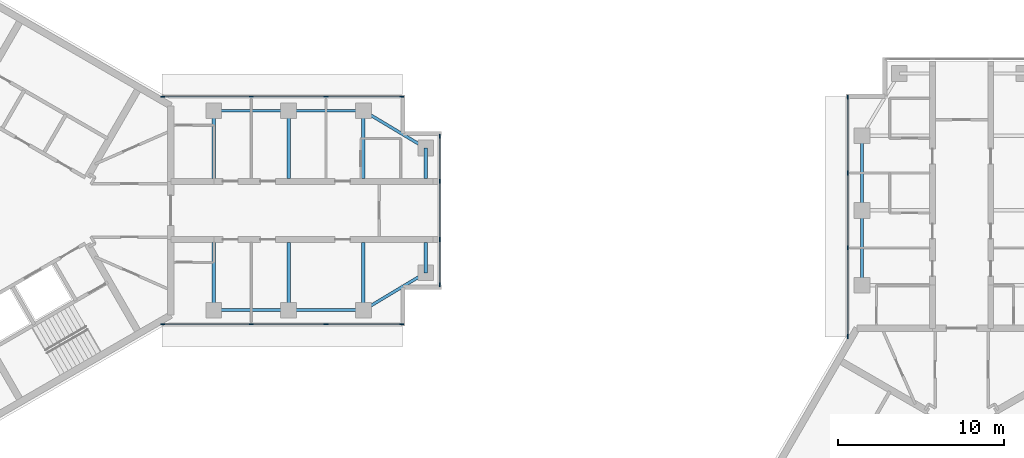
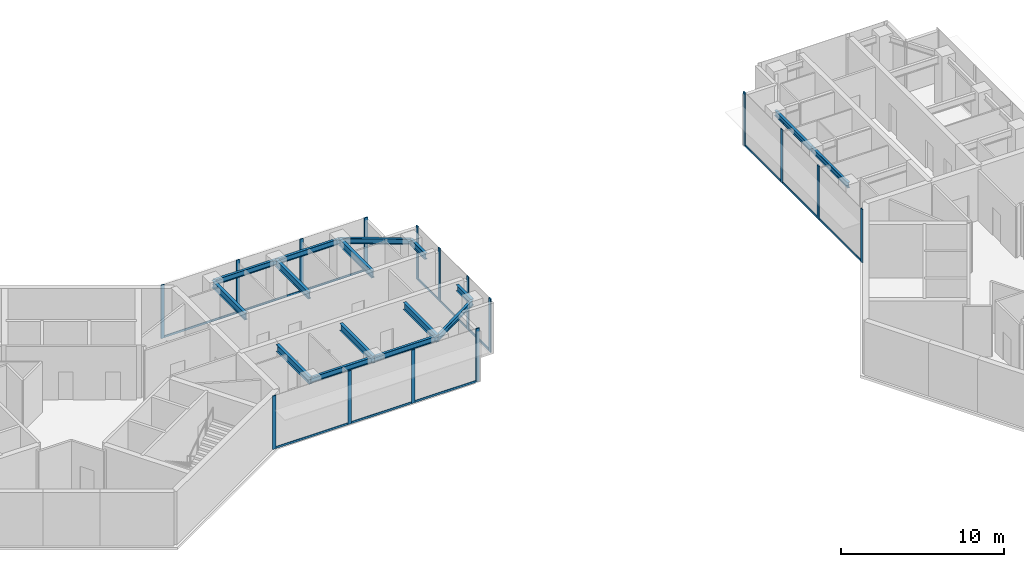
# One storey, part 2 of 11: 28 members, 16 beams, 4 elements without a shape of their own.
"""IFC4 building model written with IfcOpenShell, lengths in metres."""

from ifc_helpers import new_model, si_unit, direction, frame, origin, origin_2d, place, context, subcontext, project, spatial, rectangle, i_section, extrude, material, material_profile, profile_set, type_object, element, aggregate, save


model = new_model("IFC4")

# Units and contexts
model_context = context("Model", 3, precision=1e-05, world=origin(), true_north=direction((0.0, 1.0)))
body_context = subcontext(model_context, "Body", "Model", "MODEL_VIEW")
ifc_project = project(units=[si_unit("LENGTHUNIT", "METRE"), si_unit("AREAUNIT", "SQUARE_METRE"), si_unit("VOLUMEUNIT", "CUBIC_METRE"), si_unit("PLANEANGLEUNIT", "RADIAN"), si_unit("MASSUNIT", "GRAM", prefix="KILO")], contexts=[model_context])

# Site, building, storey
site_placement = place(None, origin())
site = spatial("IfcSite", under=ifc_project, at=site_placement, CompositionType="ELEMENT")
building_placement = place(site_placement, origin())
building = spatial("IfcBuilding", under=site, at=building_placement, Name="Upepo Twin Towers", CompositionType="ELEMENT")
storey_placement = place(building_placement, frame((0.0, 0.0, 271.5)))
storey = spatial("IfcBuildingStorey", under=building, at=storey_placement, Name="L66", CompositionType="ELEMENT", Elevation=271.5)

# Beams
ifc_material_1 = material(Name="Steel S355", Category="steel")
ifc_material_profile_1 = material_profile(ifc_material_1, i_section(OverallWidth=0.177978515625, OverallDepth=0.406494140625, WebThickness=0.0078125, FlangeThickness=0.0126953125, FilletRadius=0.01025390625, at=origin_2d()), Name="UB 406x178x60")
ifc_profile_set_1 = profile_set([ifc_material_profile_1], Name="Steel S355")
beam_type_1 = type_object("IfcBeamType", Name="Beam UB 406x178x60", PredefinedType="BEAM", material=ifc_profile_set_1)
for number, where, z_axis, x_axis, name in (
    (1, (13.5, 6.0, 3.5966796875), (1.0, 0.0, 0.0), (0.0, 1.0, 0.0), "T1 edge beam AL 13.5-18.0"),
    (2, (18.0, 6.0, 3.5966796875), (1.0, 0.0, 0.0), (0.0, 1.0, 0.0), "T1 edge beam AL 18.0-22.5"),
):
    element("IfcBeam", number, at=place(storey_placement, frame(where, z_axis=z_axis, x_axis=x_axis)), inside=storey, type_object=beam_type_1, Name=name, PredefinedType="BEAM", context=body_context, shape_type="SweptSolid", body=[
        extrude(i_section(OverallWidth=0.177978515625, OverallDepth=0.406494140625, WebThickness=0.0078125, FlangeThickness=0.0126953125, FilletRadius=0.01025390625, at=origin_2d()), origin(), (0.0, 0.0, 1.0), 4.5),
    ])
beam_1_placement = place(storey_placement, frame((22.5, 6.0, 3.5966796875), z_axis=(0.857492925713, -0.514495755428, 0.0), x_axis=(0.514495755428, 0.857492925713, 0.0)))
element("IfcBeam", 3, at=beam_1_placement, inside=storey, type_object=beam_type_1, Name="T1 nose edge beam AL", PredefinedType="BEAM", context=body_context, shape_type="SweptSolid", body=[
    extrude(i_section(OverallWidth=0.177978515625, OverallDepth=0.406494140625, WebThickness=0.0078125, FlangeThickness=0.0126953125, FilletRadius=0.01025390625, at=origin_2d()), origin(), (0.0, 0.0, 1.0), 4.373291015625),
])
for number, where, z_axis, x_axis, name in (
    (4, (13.5, -6.0, 3.5966796875), (1.0, 0.0, 0.0), (0.0, 1.0, 0.0), "T1 edge beam AR 13.5-18.0"),
    (5, (18.0, -6.0, 3.5966796875), (1.0, 0.0, 0.0), (0.0, 1.0, 0.0), "T1 edge beam AR 18.0-22.5"),
):
    element("IfcBeam", number, at=place(storey_placement, frame(where, z_axis=z_axis, x_axis=x_axis)), inside=storey, type_object=beam_type_1, Name=name, PredefinedType="BEAM", context=body_context, shape_type="SweptSolid", body=[
        extrude(i_section(OverallWidth=0.177978515625, OverallDepth=0.406494140625, WebThickness=0.0078125, FlangeThickness=0.0126953125, FilletRadius=0.01025390625, at=origin_2d()), origin(), (0.0, 0.0, 1.0), 4.5),
    ])
beam_2_placement = place(storey_placement, frame((22.5, -6.0, 3.5966796875), z_axis=(0.857492925713, 0.514495755428, 0.0), x_axis=(-0.514495755428, 0.857492925713, 0.0)))
element("IfcBeam", 6, at=beam_2_placement, inside=storey, type_object=beam_type_1, Name="T1 nose edge beam AR", PredefinedType="BEAM", context=body_context, shape_type="SweptSolid", body=[
    extrude(i_section(OverallWidth=0.177978515625, OverallDepth=0.406494140625, WebThickness=0.0078125, FlangeThickness=0.0126953125, FilletRadius=0.01025390625, at=origin_2d()), origin(), (0.0, 0.0, 1.0), 4.373291015625),
])
for number, where, z_axis, x_axis, name in (
    (7, (52.5, -4.5, 3.5966796875), (0.0, 1.0, 0.0), (-1.0, 0.0, 0.0), "T2 edge beam AL 13.5-18.0"),
    (8, (52.5, 0.0, 3.5966796875), (0.0, 1.0, 0.0), (-1.0, 0.0, 0.0), "T2 edge beam AL 18.0-22.5"),
):
    element("IfcBeam", number, at=place(storey_placement, frame(where, z_axis=z_axis, x_axis=x_axis)), inside=storey, type_object=beam_type_1, Name=name, PredefinedType="BEAM", context=body_context, shape_type="SweptSolid", body=[
        extrude(i_section(OverallWidth=0.177978515625, OverallDepth=0.406494140625, WebThickness=0.0078125, FlangeThickness=0.0126953125, FilletRadius=0.01025390625, at=origin_2d()), origin(), (0.0, 0.0, 1.0), 4.5),
    ])
ifc_material_2 = material(Name="Steel S355", Category="steel")
ifc_material_profile_2 = material_profile(ifc_material_2, i_section(OverallWidth=0.19140625, OverallDepth=0.4599609375, WebThickness=0.010009765625, FlangeThickness=0.01611328125, FilletRadius=0.01025390625, at=origin_2d()), Name="UB 457x191x82")
ifc_profile_set_2 = profile_set([ifc_material_profile_2], Name="Steel S355")
beam_type_2 = type_object("IfcBeamType", Name="Beam UB 457x191x82", PredefinedType="BEAM", material=ifc_profile_set_2)
for number, where, z_axis, x_axis, name in (
    (9, (26.25, 3.75, 3.570068359375), (0.0, -1.0, 0.0), (1.0, 0.0, 0.0), "T1 nose beam AL"),
    (10, (26.25, -3.75, 3.570068359375), (0.0, 1.0, 0.0), (-1.0, 0.0, 0.0), "T1 nose beam AR"),
):
    element("IfcBeam", number, at=place(storey_placement, frame(where, z_axis=z_axis, x_axis=x_axis)), inside=storey, type_object=beam_type_2, Name=name, PredefinedType="BEAM", context=body_context, shape_type="SweptSolid", body=[
        extrude(i_section(OverallWidth=0.19140625, OverallDepth=0.4599609375, WebThickness=0.010009765625, FlangeThickness=0.01611328125, FilletRadius=0.01025390625, at=origin_2d()), origin(), (0.0, 0.0, 1.0), 1.824951171875),
    ])
ifc_material_3 = material(Name="Steel S355", Category="steel")
ifc_material_profile_3 = material_profile(ifc_material_3, i_section(OverallWidth=0.209228515625, OverallDepth=0.533203125, WebThickness=0.010009765625, FlangeThickness=0.015625, FilletRadius=0.0126953125, at=origin_2d()), Name="UB 533x210x92")
ifc_profile_set_3 = profile_set([ifc_material_profile_3], Name="Steel S355")
beam_type_3 = type_object("IfcBeamType", Name="Beam UB 533x210x92", PredefinedType="BEAM", material=ifc_profile_set_3)
for number, where, z_axis, x_axis, name in (
    (11, (13.5, 6.0, 3.533447265625), (0.0, -1.0, 0.0), (1.0, 0.0, 0.0), "T1 girder AL at 13.5"),
    (12, (18.0, 6.0, 3.533447265625), (0.0, -1.0, 0.0), (1.0, 0.0, 0.0), "T1 girder AL at 18.0"),
    (13, (22.5, 6.0, 3.533447265625), (0.0, -1.0, 0.0), (1.0, 0.0, 0.0), "T1 girder AL at 22.5"),
    (14, (13.5, -6.0, 3.533447265625), (0.0, 1.0, 0.0), (-1.0, 0.0, 0.0), "T1 girder AR at 13.5"),
    (15, (18.0, -6.0, 3.533447265625), (0.0, 1.0, 0.0), (-1.0, 0.0, 0.0), "T1 girder AR at 18.0"),
    (16, (22.5, -6.0, 3.533447265625), (0.0, 1.0, 0.0), (-1.0, 0.0, 0.0), "T1 girder AR at 22.5"),
):
    element("IfcBeam", number, at=place(storey_placement, frame(where, z_axis=z_axis, x_axis=x_axis)), inside=storey, type_object=beam_type_3, Name=name, PredefinedType="BEAM", context=body_context, shape_type="SweptSolid", body=[
        extrude(i_section(OverallWidth=0.209228515625, OverallDepth=0.533203125, WebThickness=0.010009765625, FlangeThickness=0.015625, FilletRadius=0.0126953125, at=origin_2d()), origin(), (0.0, 0.0, 1.0), 4.074951171875),
    ])

# Curtain wall, members
ifc_material_4 = material(Name="Aluminium and fritted glass", Category="aluminium")
curtain_wall_type = type_object("IfcCurtainWallType", Name="Tower curtain wall TW4, fritted glass", PredefinedType="NOTDEFINED", material=ifc_material_4)
curtain_wall_1_placement = place(storey_placement, origin())
curtain_wall_1 = element("IfcCurtainWall", 17, at=curtain_wall_1_placement, inside=storey, type_object=curtain_wall_type, Name="T1 L66 wing A flank L curtain wall", PredefinedType="NOTDEFINED")
ifc_material_5 = material(Name="Aluminium mullion", Category="aluminium")
ifc_material_profile_4 = material_profile(ifc_material_5, rectangle(XDim=0.06494140625, YDim=0.25, at=origin_2d()), Name="MULLION 65x250")
ifc_profile_set_4 = profile_set([ifc_material_profile_4], Name="Aluminium mullion")
member_type_1 = type_object("IfcMemberType", Name="Mullion 65x250 TW4", PredefinedType="MULLION", material=ifc_profile_set_4)
member_1_placement = place(storey_placement, frame((10.419677734375, 6.85009765625, 0.0), z_axis=(0.0, 0.0, 1.0), x_axis=(0.0, 1.0, 0.0)))
member_1 = element("IfcMember", 18, at=member_1_placement, type_object=member_type_1, Name="T1 L66 wing A flank L curtain wall mullion 1", PredefinedType="MULLION", context=body_context, shape_type="SweptSolid", body=[
    extrude(rectangle(XDim=0.06494140625, YDim=0.25, at=origin_2d()), origin(), (0.0, 0.0, 1.0), 4.0),
])
member_2_placement = place(storey_placement, frame((15.75, 6.85009765625, 0.0), z_axis=(0.0, 0.0, 1.0), x_axis=(0.0, 1.0, 0.0)))
member_2 = element("IfcMember", 19, at=member_2_placement, type_object=member_type_1, Name="T1 L66 wing A flank L curtain wall mullion 2", PredefinedType="MULLION", context=body_context, shape_type="SweptSolid", body=[
    extrude(rectangle(XDim=0.06494140625, YDim=0.25, at=origin_2d()), origin(), (0.0, 0.0, 1.0), 4.0),
])
member_3_placement = place(storey_placement, frame((20.25, 6.85009765625, 0.0), z_axis=(0.0, 0.0, 1.0), x_axis=(0.0, 1.0, 0.0)))
member_3 = element("IfcMember", 20, at=member_3_placement, type_object=member_type_1, Name="T1 L66 wing A flank L curtain wall mullion 3", PredefinedType="MULLION", context=body_context, shape_type="SweptSolid", body=[
    extrude(rectangle(XDim=0.06494140625, YDim=0.25, at=origin_2d()), origin(), (0.0, 0.0, 1.0), 4.0),
])
member_4_placement = place(storey_placement, frame((24.8173828125, 6.85009765625, 0.0), z_axis=(0.0, 0.0, 1.0), x_axis=(0.0, 1.0, 0.0)))
member_4 = element("IfcMember", 21, at=member_4_placement, type_object=member_type_1, Name="T1 L66 wing A flank L curtain wall mullion 4", PredefinedType="MULLION", context=body_context, shape_type="SweptSolid", body=[
    extrude(rectangle(XDim=0.06494140625, YDim=0.25, at=origin_2d()), origin(), (0.0, 0.0, 1.0), 4.0),
])

curtain_wall_2_placement = place(storey_placement, origin())
curtain_wall_2 = element("IfcCurtainWall", 22, at=curtain_wall_2_placement, inside=storey, type_object=curtain_wall_type, Name="T1 L66 wing A flank R curtain wall", PredefinedType="NOTDEFINED")
member_5_placement = place(storey_placement, frame((24.8173828125, -6.85009765625, 0.0), z_axis=(0.0, 0.0, 1.0), x_axis=(0.0, -1.0, 0.0)))
member_5 = element("IfcMember", 23, at=member_5_placement, type_object=member_type_1, Name="T1 L66 wing A flank R curtain wall mullion 1", PredefinedType="MULLION", context=body_context, shape_type="SweptSolid", body=[
    extrude(rectangle(XDim=0.06494140625, YDim=0.25, at=origin_2d()), origin(), (0.0, 0.0, 1.0), 4.0),
])
member_6_placement = place(storey_placement, frame((20.25, -6.85009765625, 0.0), z_axis=(0.0, 0.0, 1.0), x_axis=(0.0, -1.0, 0.0)))
member_6 = element("IfcMember", 24, at=member_6_placement, type_object=member_type_1, Name="T1 L66 wing A flank R curtain wall mullion 2", PredefinedType="MULLION", context=body_context, shape_type="SweptSolid", body=[
    extrude(rectangle(XDim=0.06494140625, YDim=0.25, at=origin_2d()), origin(), (0.0, 0.0, 1.0), 4.0),
])
member_7_placement = place(storey_placement, frame((15.75, -6.85009765625, 0.0), z_axis=(0.0, 0.0, 1.0), x_axis=(0.0, -1.0, 0.0)))
member_7 = element("IfcMember", 25, at=member_7_placement, type_object=member_type_1, Name="T1 L66 wing A flank R curtain wall mullion 3", PredefinedType="MULLION", context=body_context, shape_type="SweptSolid", body=[
    extrude(rectangle(XDim=0.06494140625, YDim=0.25, at=origin_2d()), origin(), (0.0, 0.0, 1.0), 4.0),
])
member_8_placement = place(storey_placement, frame((10.419677734375, -6.85009765625, 0.0), z_axis=(0.0, 0.0, 1.0), x_axis=(0.0, -1.0, 0.0)))
member_8 = element("IfcMember", 26, at=member_8_placement, type_object=member_type_1, Name="T1 L66 wing A flank R curtain wall mullion 4", PredefinedType="MULLION", context=body_context, shape_type="SweptSolid", body=[
    extrude(rectangle(XDim=0.06494140625, YDim=0.25, at=origin_2d()), origin(), (0.0, 0.0, 1.0), 4.0),
])

curtain_wall_3_placement = place(storey_placement, origin())
curtain_wall_3 = element("IfcCurtainWall", 27, at=curtain_wall_3_placement, inside=storey, type_object=curtain_wall_type, Name="T1 L66 wing A nose curtain wall", PredefinedType="NOTDEFINED")
member_9_placement = place(storey_placement, frame((27.10009765625, -4.467529296875, 0.0), z_axis=(0.0, 0.0, 1.0), x_axis=(-1.0, 0.0, 0.0)))
member_9 = element("IfcMember", 28, at=member_9_placement, type_object=member_type_1, Name="T1 L66 wing A nose curtain wall mullion 1", PredefinedType="MULLION", context=body_context, shape_type="SweptSolid", body=[
    extrude(rectangle(XDim=0.06494140625, YDim=0.25, at=origin_2d()), origin(), (0.0, 0.0, 1.0), 4.0),
])
member_10_placement = place(storey_placement, frame((27.10009765625, -1.75, 0.0), z_axis=(0.0, 0.0, 1.0), x_axis=(-1.0, 0.0, 0.0)))
member_10 = element("IfcMember", 29, at=member_10_placement, type_object=member_type_1, Name="T1 L66 wing A nose curtain wall mullion 2", PredefinedType="MULLION", context=body_context, shape_type="SweptSolid", body=[
    extrude(rectangle(XDim=0.06494140625, YDim=0.25, at=origin_2d()), origin(), (0.0, 0.0, 1.0), 4.0),
])
member_11_placement = place(storey_placement, frame((27.10009765625, 1.75, 0.0), z_axis=(0.0, 0.0, 1.0), x_axis=(-1.0, 0.0, 0.0)))
member_11 = element("IfcMember", 30, at=member_11_placement, type_object=member_type_1, Name="T1 L66 wing A nose curtain wall mullion 3", PredefinedType="MULLION", context=body_context, shape_type="SweptSolid", body=[
    extrude(rectangle(XDim=0.06494140625, YDim=0.25, at=origin_2d()), origin(), (0.0, 0.0, 1.0), 4.0),
])
member_12_placement = place(storey_placement, frame((27.10009765625, 4.467529296875, 0.0), z_axis=(0.0, 0.0, 1.0), x_axis=(-1.0, 0.0, 0.0)))
member_12 = element("IfcMember", 31, at=member_12_placement, type_object=member_type_1, Name="T1 L66 wing A nose curtain wall mullion 4", PredefinedType="MULLION", context=body_context, shape_type="SweptSolid", body=[
    extrude(rectangle(XDim=0.06494140625, YDim=0.25, at=origin_2d()), origin(), (0.0, 0.0, 1.0), 4.0),
])

curtain_wall_4_placement = place(storey_placement, origin())
curtain_wall_4 = element("IfcCurtainWall", 32, at=curtain_wall_4_placement, inside=storey, type_object=curtain_wall_type, Name="T2 L66 wing A flank L curtain wall", PredefinedType="NOTDEFINED")
member_13_placement = place(storey_placement, frame((51.64990234375, -7.580322265625, 0.0), z_axis=(0.0, 0.0, 1.0), x_axis=(-1.0, 0.0, 0.0)))
member_13 = element("IfcMember", 33, at=member_13_placement, type_object=member_type_1, Name="T2 L66 wing A flank L curtain wall mullion 1", PredefinedType="MULLION", context=body_context, shape_type="SweptSolid", body=[
    extrude(rectangle(XDim=0.06494140625, YDim=0.25, at=origin_2d()), origin(), (0.0, 0.0, 1.0), 4.0),
])
member_14_placement = place(storey_placement, frame((51.64990234375, -2.25, 0.0), z_axis=(0.0, 0.0, 1.0), x_axis=(-1.0, 0.0, 0.0)))
member_14 = element("IfcMember", 34, at=member_14_placement, type_object=member_type_1, Name="T2 L66 wing A flank L curtain wall mullion 2", PredefinedType="MULLION", context=body_context, shape_type="SweptSolid", body=[
    extrude(rectangle(XDim=0.06494140625, YDim=0.25, at=origin_2d()), origin(), (0.0, 0.0, 1.0), 4.0),
])
member_15_placement = place(storey_placement, frame((51.64990234375, 2.25, 0.0), z_axis=(0.0, 0.0, 1.0), x_axis=(-1.0, 0.0, 0.0)))
member_15 = element("IfcMember", 35, at=member_15_placement, type_object=member_type_1, Name="T2 L66 wing A flank L curtain wall mullion 3", PredefinedType="MULLION", context=body_context, shape_type="SweptSolid", body=[
    extrude(rectangle(XDim=0.06494140625, YDim=0.25, at=origin_2d()), origin(), (0.0, 0.0, 1.0), 4.0),
])
member_16_placement = place(storey_placement, frame((51.64990234375, 6.8173828125, 0.0), z_axis=(0.0, 0.0, 1.0), x_axis=(-1.0, 0.0, 0.0)))
member_16 = element("IfcMember", 36, at=member_16_placement, type_object=member_type_1, Name="T2 L66 wing A flank L curtain wall mullion 4", PredefinedType="MULLION", context=body_context, shape_type="SweptSolid", body=[
    extrude(rectangle(XDim=0.06494140625, YDim=0.25, at=origin_2d()), origin(), (0.0, 0.0, 1.0), 4.0),
])

# Member
ifc_material_6 = material(Name="Aluminium transom", Category="aluminium")
ifc_material_profile_5 = material_profile(ifc_material_6, rectangle(XDim=0.06494140625, YDim=0.14990234375, at=origin_2d()), Name="TRANSOM 65x150")
ifc_profile_set_5 = profile_set([ifc_material_profile_5], Name="Aluminium transom")
member_type_2 = type_object("IfcMemberType", Name="Transom 65x150 TW4", PredefinedType="USERDEFINED", material=ifc_profile_set_5)
member_17_placement = place(storey_placement, frame((10.4521484375, 6.85009765625, 0.074951171875), z_axis=(1.0, 0.0, 0.0), x_axis=(0.0, 1.0, 0.0)))
member_17 = element("IfcMember", 37, at=member_17_placement, type_object=member_type_2, Name="T1 L66 wing A flank L curtain wall transom 1", ObjectType="TRANSOM", PredefinedType="USERDEFINED", context=body_context, shape_type="SweptSolid", body=[
    extrude(rectangle(XDim=0.06494140625, YDim=0.14990234375, at=origin_2d()), origin(), (0.0, 0.0, 1.0), 5.265380859375),
])

member_18_placement = place(storey_placement, frame((15.782470703125, 6.85009765625, 0.074951171875), z_axis=(1.0, 0.0, 0.0), x_axis=(0.0, 1.0, 0.0)))
member_18 = element("IfcMember", 38, at=member_18_placement, type_object=member_type_2, Name="T1 L66 wing A flank L curtain wall transom 2", ObjectType="TRANSOM", PredefinedType="USERDEFINED", context=body_context, shape_type="SweptSolid", body=[
    extrude(rectangle(XDim=0.06494140625, YDim=0.14990234375, at=origin_2d()), origin(), (0.0, 0.0, 1.0), 4.43505859375),
])

member_19_placement = place(storey_placement, frame((20.282470703125, 6.85009765625, 0.074951171875), z_axis=(1.0, 0.0, 0.0), x_axis=(0.0, 1.0, 0.0)))
member_19 = element("IfcMember", 39, at=member_19_placement, type_object=member_type_2, Name="T1 L66 wing A flank L curtain wall transom 3", ObjectType="TRANSOM", PredefinedType="USERDEFINED", context=body_context, shape_type="SweptSolid", body=[
    extrude(rectangle(XDim=0.06494140625, YDim=0.14990234375, at=origin_2d()), origin(), (0.0, 0.0, 1.0), 4.50244140625),
])

aggregate(curtain_wall_1, [member_1, member_2, member_3, member_4, member_17, member_18, member_19])

member_20_placement = place(storey_placement, frame((24.784912109375, -6.85009765625, 0.074951171875), z_axis=(-1.0, 0.0, 0.0), x_axis=(0.0, -1.0, 0.0)))
member_20 = element("IfcMember", 40, at=member_20_placement, type_object=member_type_2, Name="T1 L66 wing A flank R curtain wall transom 1", ObjectType="TRANSOM", PredefinedType="USERDEFINED", context=body_context, shape_type="SweptSolid", body=[
    extrude(rectangle(XDim=0.06494140625, YDim=0.14990234375, at=origin_2d()), origin(), (0.0, 0.0, 1.0), 4.50244140625),
])

member_21_placement = place(storey_placement, frame((20.217529296875, -6.85009765625, 0.074951171875), z_axis=(-1.0, 0.0, 0.0), x_axis=(0.0, -1.0, 0.0)))
member_21 = element("IfcMember", 41, at=member_21_placement, type_object=member_type_2, Name="T1 L66 wing A flank R curtain wall transom 2", ObjectType="TRANSOM", PredefinedType="USERDEFINED", context=body_context, shape_type="SweptSolid", body=[
    extrude(rectangle(XDim=0.06494140625, YDim=0.14990234375, at=origin_2d()), origin(), (0.0, 0.0, 1.0), 4.43505859375),
])

member_22_placement = place(storey_placement, frame((15.717529296875, -6.85009765625, 0.074951171875), z_axis=(-1.0, 0.0, 0.0), x_axis=(0.0, -1.0, 0.0)))
member_22 = element("IfcMember", 42, at=member_22_placement, type_object=member_type_2, Name="T1 L66 wing A flank R curtain wall transom 3", ObjectType="TRANSOM", PredefinedType="USERDEFINED", context=body_context, shape_type="SweptSolid", body=[
    extrude(rectangle(XDim=0.06494140625, YDim=0.14990234375, at=origin_2d()), origin(), (0.0, 0.0, 1.0), 5.265380859375),
])

aggregate(curtain_wall_2, [member_5, member_6, member_7, member_8, member_20, member_21, member_22])

member_23_placement = place(storey_placement, frame((27.10009765625, -4.43505859375, 0.074951171875), z_axis=(0.0, 1.0, 0.0), x_axis=(-1.0, 0.0, 0.0)))
member_23 = element("IfcMember", 43, at=member_23_placement, type_object=member_type_2, Name="T1 L66 wing A nose curtain wall transom 1", ObjectType="TRANSOM", PredefinedType="USERDEFINED", context=body_context, shape_type="SweptSolid", body=[
    extrude(rectangle(XDim=0.06494140625, YDim=0.14990234375, at=origin_2d()), origin(), (0.0, 0.0, 1.0), 2.652587890625),
])

member_24_placement = place(storey_placement, frame((27.10009765625, -1.717529296875, 0.074951171875), z_axis=(0.0, 1.0, 0.0), x_axis=(-1.0, 0.0, 0.0)))
member_24 = element("IfcMember", 44, at=member_24_placement, type_object=member_type_2, Name="T1 L66 wing A nose curtain wall transom 2", ObjectType="TRANSOM", PredefinedType="USERDEFINED", context=body_context, shape_type="SweptSolid", body=[
    extrude(rectangle(XDim=0.06494140625, YDim=0.14990234375, at=origin_2d()), origin(), (0.0, 0.0, 1.0), 3.43505859375),
])

member_25_placement = place(storey_placement, frame((27.10009765625, 1.782470703125, 0.074951171875), z_axis=(0.0, 1.0, 0.0), x_axis=(-1.0, 0.0, 0.0)))
member_25 = element("IfcMember", 45, at=member_25_placement, type_object=member_type_2, Name="T1 L66 wing A nose curtain wall transom 3", ObjectType="TRANSOM", PredefinedType="USERDEFINED", context=body_context, shape_type="SweptSolid", body=[
    extrude(rectangle(XDim=0.06494140625, YDim=0.14990234375, at=origin_2d()), origin(), (0.0, 0.0, 1.0), 2.652587890625),
])

aggregate(curtain_wall_3, [member_9, member_10, member_11, member_12, member_23, member_24, member_25])

member_26_placement = place(storey_placement, frame((51.64990234375, -7.5478515625, 0.074951171875), z_axis=(0.0, 1.0, 0.0), x_axis=(-1.0, 0.0, 0.0)))
member_26 = element("IfcMember", 46, at=member_26_placement, type_object=member_type_2, Name="T2 L66 wing A flank L curtain wall transom 1", ObjectType="TRANSOM", PredefinedType="USERDEFINED", context=body_context, shape_type="SweptSolid", body=[
    extrude(rectangle(XDim=0.06494140625, YDim=0.14990234375, at=origin_2d()), origin(), (0.0, 0.0, 1.0), 5.265380859375),
])

member_27_placement = place(storey_placement, frame((51.64990234375, -2.217529296875, 0.074951171875), z_axis=(0.0, 1.0, 0.0), x_axis=(-1.0, 0.0, 0.0)))
member_27 = element("IfcMember", 47, at=member_27_placement, type_object=member_type_2, Name="T2 L66 wing A flank L curtain wall transom 2", ObjectType="TRANSOM", PredefinedType="USERDEFINED", context=body_context, shape_type="SweptSolid", body=[
    extrude(rectangle(XDim=0.06494140625, YDim=0.14990234375, at=origin_2d()), origin(), (0.0, 0.0, 1.0), 4.43505859375),
])

member_28_placement = place(storey_placement, frame((51.64990234375, 2.282470703125, 0.074951171875), z_axis=(0.0, 1.0, 0.0), x_axis=(-1.0, 0.0, 0.0)))
member_28 = element("IfcMember", 48, at=member_28_placement, type_object=member_type_2, Name="T2 L66 wing A flank L curtain wall transom 3", ObjectType="TRANSOM", PredefinedType="USERDEFINED", context=body_context, shape_type="SweptSolid", body=[
    extrude(rectangle(XDim=0.06494140625, YDim=0.14990234375, at=origin_2d()), origin(), (0.0, 0.0, 1.0), 4.50244140625),
])

aggregate(curtain_wall_4, [member_13, member_14, member_15, member_16, member_26, member_27, member_28])

save(model, "model.ifc")
